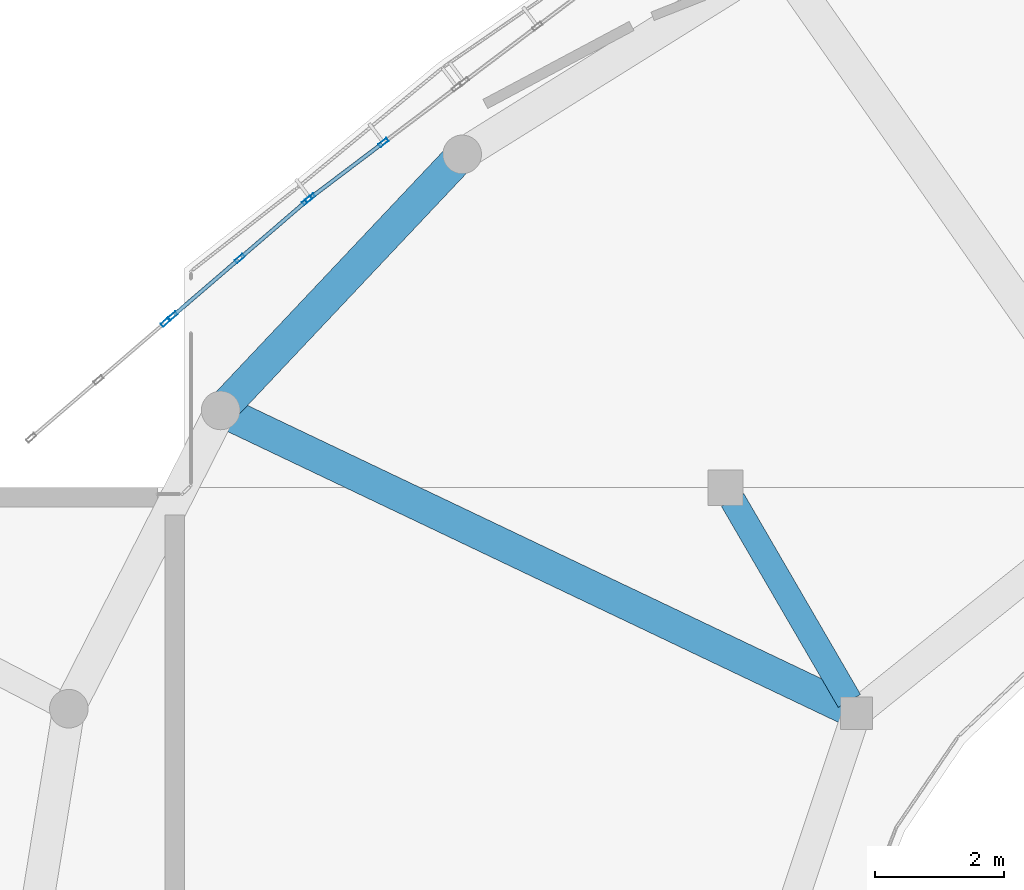
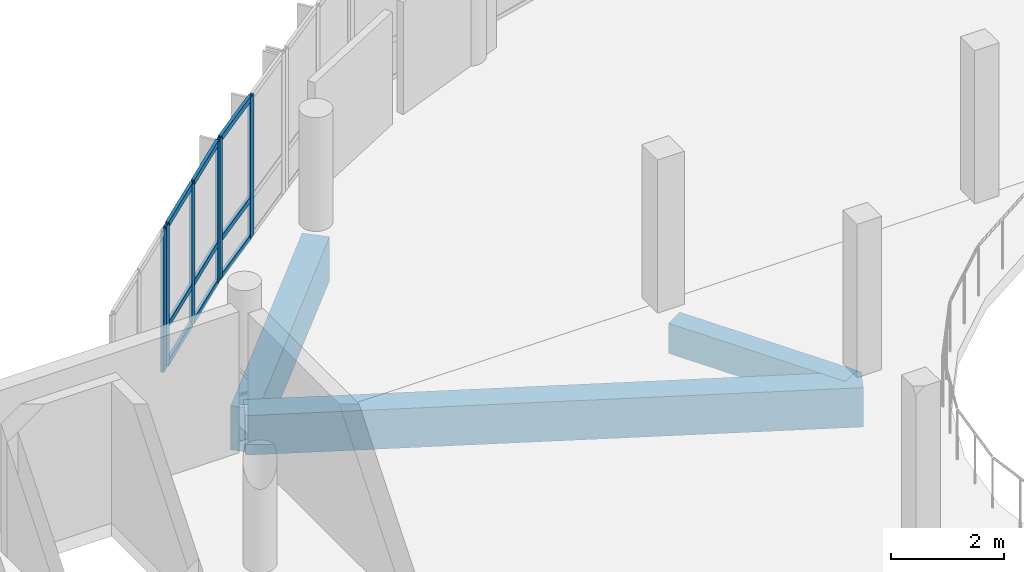
# One storey, part 14 of 43: 15 members, 3 beams, 3 elements without a shape of their own.
"""IFC4 building model written with IfcOpenShell, lengths in metres."""

from ifc_helpers import new_model, si_unit, derived_unit, direction, frame, origin, origin_2d, place, context, subcontext, project, spatial, rectangle, hollow_rectangle, extrude, material, layer, layer_set, material_profile, profile_set, type_object, element, aggregate, save


model = new_model("IFC4")

# Units and contexts
model_context = context("Model", 3, precision=1e-05, world=origin(), true_north=direction((0.0, 1.0)))
body_context = subcontext(model_context, "Body", "Model", "MODEL_VIEW")
ifc_project = project(units=[si_unit("LENGTHUNIT", "METRE"), si_unit("AREAUNIT", "SQUARE_METRE"), si_unit("VOLUMEUNIT", "CUBIC_METRE"), si_unit("PLANEANGLEUNIT", "RADIAN"), si_unit("MASSUNIT", "GRAM", prefix="KILO"), derived_unit("THERMALTRANSMITTANCEUNIT", [(si_unit("POWERUNIT", "WATT"), 1), (si_unit("LENGTHUNIT", "METRE"), -2), (si_unit("THERMODYNAMICTEMPERATUREUNIT", "KELVIN"), -1)])], contexts=[model_context])

# Site, building, storey
site_placement = place(None, origin())
site = spatial("IfcSite", under=ifc_project, at=site_placement, CompositionType="ELEMENT")
building_placement = place(site_placement, origin())
building = spatial("IfcBuilding", under=site, at=building_placement, Name="Elbkamm Science Centre", CompositionType="ELEMENT")
storey_placement = place(building_placement, frame((0.0, 0.0, 18.300048828125)))
storey = spatial("IfcBuildingStorey", under=building, at=storey_placement, Name="L04", CompositionType="ELEMENT", Elevation=18.300048828125)

# Beams
ifc_material_1 = material(Name="Concrete C40/50", Category="concrete")
ifc_material_profile_1 = material_profile(ifc_material_1, rectangle(XDim=0.39990234375, YDim=0.64990234375, at=origin_2d()), Name="RC 400x650")
ifc_profile_set_1 = profile_set([ifc_material_profile_1], Name="Concrete C40/50")
beam_type_1 = type_object("IfcBeamType", Name="BM-RC-400x650", PredefinedType="BEAM", material=ifc_profile_set_1)
beam_1_placement = place(storey_placement, frame((50.510498046875, 75.409912109375, -0.60498046875), z_axis=(0.502465212806, -0.864597426506, 0.0), x_axis=(0.864597426506, 0.502465212806, 0.0)))
element("IfcBeam", 1, at=beam_1_placement, inside=storey, type_object=beam_type_1, Name="L04 Perimeter Ring Tie Girder 064", PredefinedType="BEAM", context=body_context, shape_type="SweptSolid", body=[
    extrude(rectangle(XDim=0.39990234375, YDim=0.64990234375, at=origin_2d()), origin(), (0.0, 0.0, 1.0), 3.608154296875),
])
ifc_material_profile_2 = material_profile(ifc_material_1, rectangle(XDim=0.5, YDim=0.85009765625, at=origin_2d()), Name="RC 500x850")
ifc_profile_set_2 = profile_set([ifc_material_profile_2], Name="Concrete C40/50")
beam_type_2 = type_object("IfcBeamType", Name="BM-RC-500x850", PredefinedType="BEAM", material=ifc_profile_set_2)
beam_2_placement = place(storey_placement, frame((52.43408203125, 72.10009765625, -0.705078125), z_axis=(-0.902897249077, 0.429856438371, 0.0), x_axis=(-0.429856438371, -0.902897249077, 0.0)))
element("IfcBeam", 2, at=beam_2_placement, inside=storey, type_object=beam_type_2, Name="L04 Elliptical Radial Girder 06", PredefinedType="BEAM", context=body_context, shape_type="SweptSolid", body=[
    extrude(rectangle(XDim=0.5, YDim=0.85009765625, at=origin_2d()), origin(), (0.0, 0.0, 1.0), 10.933837890625),
])
ifc_material_profile_3 = material_profile(ifc_material_1, rectangle(XDim=0.5, YDim=0.949951171875, at=origin_2d()), Name="RC 500x950")
ifc_profile_set_3 = profile_set([ifc_material_profile_3], Name="Concrete C40/50")
beam_type_3 = type_object("IfcBeamType", Name="BM-RC-500x950", PredefinedType="BEAM", material=ifc_profile_set_3)
beam_3_placement = place(storey_placement, frame((46.31201171875, 80.77587890625, -0.755126953125), z_axis=(-0.686144611421, -0.727465169075, 0.0), x_axis=(0.727465169075, -0.686144611421, 0.0)))
element("IfcBeam", 3, at=beam_3_placement, inside=storey, type_object=beam_type_3, Name="L04 Elliptical Shell Perimeter Ring Beam 10", PredefinedType="SPANDREL", context=body_context, shape_type="SweptSolid", body=[
    extrude(rectangle(XDim=0.5, YDim=0.949951171875, at=origin_2d()), origin(), (0.0, 0.0, 1.0), 5.46533203125),
])

# Curtain wall, members
ifc_material_2 = material(Name="Powder-coated aluminium and triple low-E glazing", Category="aluminium")
ifc_layer_1 = layer(ifc_material_2, 0.159912109375)
ifc_layer_set_1 = layer_set([ifc_layer_1], Name="Powder-coated aluminium and triple low-E glazing")
curtain_wall_type_1 = type_object("IfcCurtainWallType", Name="CW-UNIT-2920x3040", PredefinedType="USERDEFINED", material=ifc_layer_set_1)
curtain_wall_1_placement = place(storey_placement, origin())
curtain_wall_1 = element("IfcCurtainWall", 4, at=curtain_wall_1_placement, inside=storey, type_object=curtain_wall_type_1, Name="L04 Unitised Curtain Wall 087", ObjectType="UNITISED CURTAIN WALL", PredefinedType="USERDEFINED")
ifc_material_3 = material(Name="Powder-coated aluminium EN AW-6060", Category="aluminium")
ifc_material_profile_4 = material_profile(ifc_material_3, hollow_rectangle(XDim=0.06005859375, YDim=0.159912109375, WallThickness=0.00390625, at=origin_2d()), Name="ALU M60x160")
ifc_profile_set_4 = profile_set([ifc_material_profile_4], Name="Powder-coated aluminium EN AW-6060")
member_type_1 = type_object("IfcMemberType", Name="CW-MUL-60x160", PredefinedType="MULLION", material=ifc_profile_set_4)
member_1_placement = place(storey_placement, frame((45.089599609375, 80.958984375, 0.0), z_axis=(0.0, 0.0, 1.0), x_axis=(0.602996532888, -0.797743806823, 0.0)))
member_1 = element("IfcMember", 5, at=member_1_placement, type_object=member_type_1, Name="CW-041 mullion 2", PredefinedType="MULLION", context=body_context, shape_type="SweptSolid", body=[
    extrude(hollow_rectangle(XDim=0.06005859375, YDim=0.159912109375, WallThickness=0.00390625, at=origin_2d()), origin(), (0.0, 0.0, 1.0), 3.0400390625),
])
member_2_placement = place(storey_placement, frame((43.9501953125, 80.097900390625, 0.0), z_axis=(0.0, 0.0, 1.0), x_axis=(0.602996532888, -0.797743806823, 0.0)))
member_2 = element("IfcMember", 6, at=member_2_placement, type_object=member_type_1, Name="CW-041 mullion 3", PredefinedType="MULLION", context=body_context, shape_type="SweptSolid", body=[
    extrude(hollow_rectangle(XDim=0.06005859375, YDim=0.159912109375, WallThickness=0.00390625, at=origin_2d()), origin(), (0.0, 0.0, 1.0), 3.0400390625),
])

ifc_layer_2 = layer(ifc_material_2, 0.159912109375)
ifc_layer_set_2 = layer_set([ifc_layer_2], Name="Powder-coated aluminium and triple low-E glazing")
curtain_wall_type_2 = type_object("IfcCurtainWallType", Name="CW-UNIT-2820x3040", PredefinedType="USERDEFINED", material=ifc_layer_set_2)
curtain_wall_2_placement = place(storey_placement, origin())
curtain_wall_2 = element("IfcCurtainWall", 7, at=curtain_wall_2_placement, inside=storey, type_object=curtain_wall_type_2, Name="L04 Unitised Curtain Wall 088", ObjectType="UNITISED CURTAIN WALL", PredefinedType="USERDEFINED")
member_3_placement = place(storey_placement, frame((43.903564453125, 80.06005859375, 0.0), z_axis=(0.0, 0.0, 1.0), x_axis=(0.652109929172, -0.758124422687, 0.0)))
member_3 = element("IfcMember", 8, at=member_3_placement, type_object=member_type_1, Name="CW-042 mullion 1", PredefinedType="MULLION", context=body_context, shape_type="SweptSolid", body=[
    extrude(hollow_rectangle(XDim=0.06005859375, YDim=0.159912109375, WallThickness=0.00390625, at=origin_2d()), origin(), (0.0, 0.0, 1.0), 3.0400390625),
])
member_4_placement = place(storey_placement, frame((42.859130859375, 79.161865234375, 0.0), z_axis=(0.0, 0.0, 1.0), x_axis=(0.652109929172, -0.758124422687, 0.0)))
member_4 = element("IfcMember", 9, at=member_4_placement, type_object=member_type_1, Name="CW-042 mullion 2", PredefinedType="MULLION", context=body_context, shape_type="SweptSolid", body=[
    extrude(hollow_rectangle(XDim=0.06005859375, YDim=0.159912109375, WallThickness=0.00390625, at=origin_2d()), origin(), (0.0, 0.0, 1.0), 3.0400390625),
])
member_5_placement = place(storey_placement, frame((41.81494140625, 78.263671875, 0.0), z_axis=(0.0, 0.0, 1.0), x_axis=(0.652109929172, -0.758124422687, 0.0)))
member_5 = element("IfcMember", 10, at=member_5_placement, type_object=member_type_1, Name="CW-042 mullion 3", PredefinedType="MULLION", context=body_context, shape_type="SweptSolid", body=[
    extrude(hollow_rectangle(XDim=0.06005859375, YDim=0.159912109375, WallThickness=0.00390625, at=origin_2d()), origin(), (0.0, 0.0, 1.0), 3.0400390625),
])

# Curtain wall, member
curtain_wall_3_placement = place(storey_placement, origin())
curtain_wall_3 = element("IfcCurtainWall", 11, at=curtain_wall_3_placement, inside=storey, type_object=curtain_wall_type_2, Name="L04 Unitised Curtain Wall 089", ObjectType="UNITISED CURTAIN WALL", PredefinedType="USERDEFINED")
member_6_placement = place(storey_placement, frame((41.708740234375, 78.172607421875, 0.0), z_axis=(0.0, 0.0, 1.0), x_axis=(0.652109929172, -0.758124422687, 0.0)))
member_6 = element("IfcMember", 12, at=member_6_placement, type_object=member_type_1, Name="CW-042 mullion 1", PredefinedType="MULLION", context=body_context, shape_type="SweptSolid", body=[
    extrude(hollow_rectangle(XDim=0.06005859375, YDim=0.159912109375, WallThickness=0.00390625, at=origin_2d()), origin(), (0.0, 0.0, 1.0), 3.0400390625),
])
aggregate(curtain_wall_3, [member_6])

# Member
ifc_material_profile_5 = material_profile(ifc_material_3, hollow_rectangle(XDim=0.06005859375, YDim=0.1201171875, WallThickness=0.00341796875, at=origin_2d()), Name="ALU T60x120")
ifc_profile_set_5 = profile_set([ifc_material_profile_5], Name="Powder-coated aluminium EN AW-6060")
member_type_2 = type_object("IfcMemberType", Name="CW-TRN-60x120", PredefinedType="USERDEFINED", material=ifc_profile_set_5)
member_7_placement = place(storey_placement, frame((45.065673828125, 80.94091796875, 0.030029296875), z_axis=(-0.797789121569, -0.602936578345, 0.0), x_axis=(0.602936578345, -0.797789121569, 0.0)))
member_7 = element("IfcMember", 13, at=member_7_placement, type_object=member_type_2, Name="CW-041 transom 2.1", ObjectType="TRANSOM", PredefinedType="USERDEFINED", context=body_context, shape_type="SweptSolid", body=[
    extrude(hollow_rectangle(XDim=0.06005859375, YDim=0.1201171875, WallThickness=0.00341796875, at=origin_2d()), origin(), (0.0, 0.0, 1.0), 1.3681640625),
])

member_8_placement = place(storey_placement, frame((45.065673828125, 80.94091796875, 0.849853515625), z_axis=(-0.797789121569, -0.602936578345, 0.0), x_axis=(0.602936578345, -0.797789121569, 0.0)))
member_8 = element("IfcMember", 14, at=member_8_placement, type_object=member_type_2, Name="CW-041 transom 2.2", ObjectType="TRANSOM", PredefinedType="USERDEFINED", context=body_context, shape_type="SweptSolid", body=[
    extrude(hollow_rectangle(XDim=0.06005859375, YDim=0.1201171875, WallThickness=0.00341796875, at=origin_2d()), origin(), (0.0, 0.0, 1.0), 1.3681640625),
])

member_9_placement = place(storey_placement, frame((45.065673828125, 80.94091796875, 3.010009765625), z_axis=(-0.797789121569, -0.602936578345, 0.0), x_axis=(0.602936578345, -0.797789121569, 0.0)))
member_9 = element("IfcMember", 15, at=member_9_placement, type_object=member_type_2, Name="CW-041 transom 2.3", ObjectType="TRANSOM", PredefinedType="USERDEFINED", context=body_context, shape_type="SweptSolid", body=[
    extrude(hollow_rectangle(XDim=0.06005859375, YDim=0.1201171875, WallThickness=0.00341796875, at=origin_2d()), origin(), (0.0, 0.0, 1.0), 1.3681640625),
])

aggregate(curtain_wall_1, [member_1, member_2, member_7, member_8, member_9])

member_10_placement = place(storey_placement, frame((43.880615234375, 80.04052734375, 0.030029296875), z_axis=(-0.758038576114, -0.652209718666, 0.0), x_axis=(0.652209718666, -0.758038576114, 0.0)))
member_10 = element("IfcMember", 16, at=member_10_placement, type_object=member_type_2, Name="CW-042 transom 1.1", ObjectType="TRANSOM", PredefinedType="USERDEFINED", context=body_context, shape_type="SweptSolid", body=[
    extrude(hollow_rectangle(XDim=0.06005859375, YDim=0.1201171875, WallThickness=0.00341796875, at=origin_2d()), origin(), (0.0, 0.0, 1.0), 1.3173828125),
])

member_11_placement = place(storey_placement, frame((43.880615234375, 80.04052734375, 0.849853515625), z_axis=(-0.758038576114, -0.652209718666, 0.0), x_axis=(0.652209718666, -0.758038576114, 0.0)))
member_11 = element("IfcMember", 17, at=member_11_placement, type_object=member_type_2, Name="CW-042 transom 1.2", ObjectType="TRANSOM", PredefinedType="USERDEFINED", context=body_context, shape_type="SweptSolid", body=[
    extrude(hollow_rectangle(XDim=0.06005859375, YDim=0.1201171875, WallThickness=0.00341796875, at=origin_2d()), origin(), (0.0, 0.0, 1.0), 1.3173828125),
])

member_12_placement = place(storey_placement, frame((43.880615234375, 80.04052734375, 3.010009765625), z_axis=(-0.758038576114, -0.652209718666, 0.0), x_axis=(0.652209718666, -0.758038576114, 0.0)))
member_12 = element("IfcMember", 18, at=member_12_placement, type_object=member_type_2, Name="CW-042 transom 1.3", ObjectType="TRANSOM", PredefinedType="USERDEFINED", context=body_context, shape_type="SweptSolid", body=[
    extrude(hollow_rectangle(XDim=0.06005859375, YDim=0.1201171875, WallThickness=0.00341796875, at=origin_2d()), origin(), (0.0, 0.0, 1.0), 1.3173828125),
])

member_13_placement = place(storey_placement, frame((42.83642578125, 79.142333984375, 0.030029296875), z_axis=(-0.758130211583, -0.652103199107, 0.0), x_axis=(0.652103199107, -0.758130211583, 0.0)))
member_13 = element("IfcMember", 19, at=member_13_placement, type_object=member_type_2, Name="CW-042 transom 2.1", ObjectType="TRANSOM", PredefinedType="USERDEFINED", context=body_context, shape_type="SweptSolid", body=[
    extrude(hollow_rectangle(XDim=0.06005859375, YDim=0.1201171875, WallThickness=0.00341796875, at=origin_2d()), origin(), (0.0, 0.0, 1.0), 1.317138671875),
])

member_14_placement = place(storey_placement, frame((42.83642578125, 79.142333984375, 0.849853515625), z_axis=(-0.758130211583, -0.652103199107, 0.0), x_axis=(0.652103199107, -0.758130211583, 0.0)))
member_14 = element("IfcMember", 20, at=member_14_placement, type_object=member_type_2, Name="CW-042 transom 2.2", ObjectType="TRANSOM", PredefinedType="USERDEFINED", context=body_context, shape_type="SweptSolid", body=[
    extrude(hollow_rectangle(XDim=0.06005859375, YDim=0.1201171875, WallThickness=0.00341796875, at=origin_2d()), origin(), (0.0, 0.0, 1.0), 1.317138671875),
])

member_15_placement = place(storey_placement, frame((42.83642578125, 79.142333984375, 3.010009765625), z_axis=(-0.758130211583, -0.652103199107, 0.0), x_axis=(0.652103199107, -0.758130211583, 0.0)))
member_15 = element("IfcMember", 21, at=member_15_placement, type_object=member_type_2, Name="CW-042 transom 2.3", ObjectType="TRANSOM", PredefinedType="USERDEFINED", context=body_context, shape_type="SweptSolid", body=[
    extrude(hollow_rectangle(XDim=0.06005859375, YDim=0.1201171875, WallThickness=0.00341796875, at=origin_2d()), origin(), (0.0, 0.0, 1.0), 1.317138671875),
])

aggregate(curtain_wall_2, [member_3, member_4, member_5, member_10, member_11, member_12, member_13, member_14, member_15])

save(model, "model.ifc")
